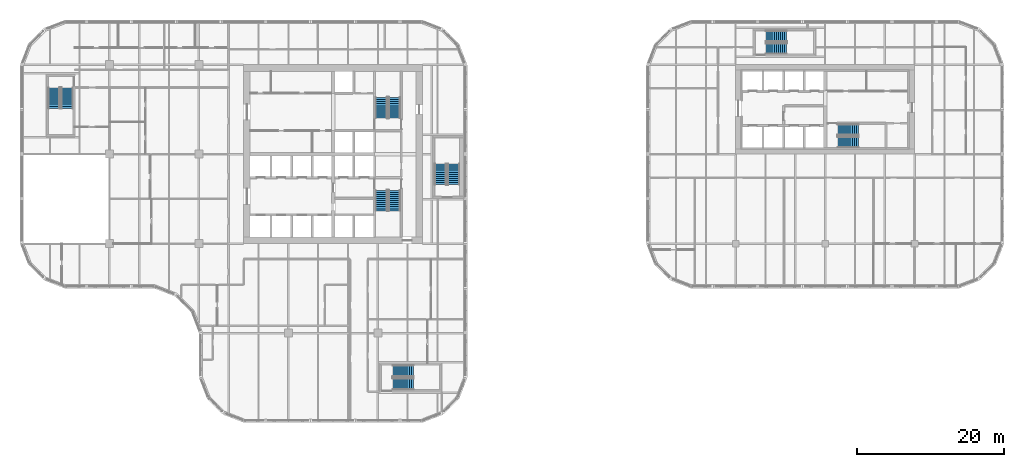
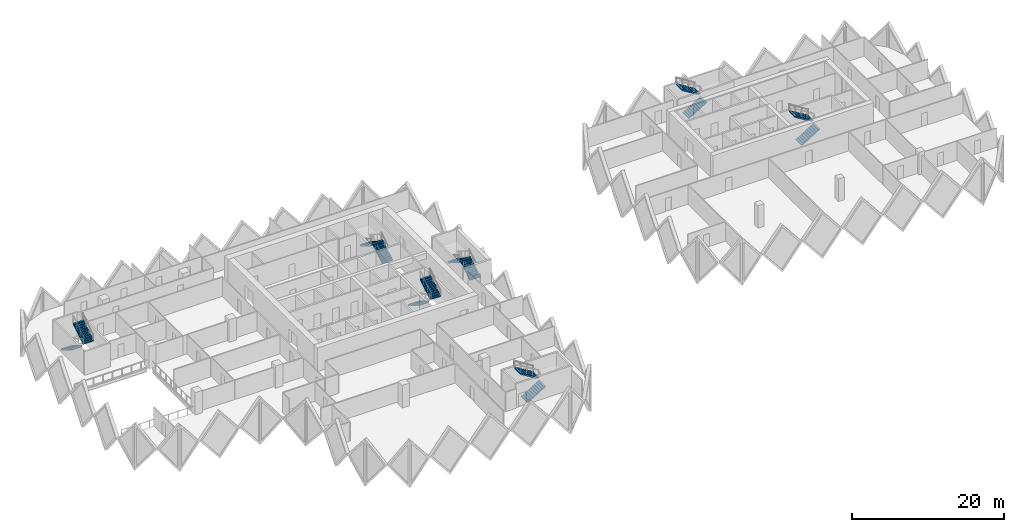
# One storey, part 16 of 18: 14 stair flights, 7 elements without a shape of their own.
"""IFC4 building model written with IfcOpenShell, lengths in metres."""

import ifcopenshell
import ifcopenshell.guid

model = None  # the IFC model being written
_history = None  # IfcOwnerHistory: only IFC2X3 demands one
_inside = {}  # id of a spatial element -> (the spatial element, [elements in it])
_under = {}  # id of a project, library or spatial element -> (it, [spatial elements below it])
_declared = {}  # id of a project -> (the project, [libraries it declares])
_typed = {}  # id of a type object -> (the type object, [elements of that type])
_made_of = {}  # id of a material, layer set ... -> (it, [elements and type objects made of it])


def new_model(schema):
    """Start an empty IFC model of exactly this schema.

    Asked for "IFC4X3", IfcOpenShell would pick the latest addendum, in which some entities
    have other attributes; the version numbers below select the first issue.
    IFC2X3 requires an IfcOwnerHistory on every rooted entity: one is made here for all.
    """
    global model, _history
    if schema == "IFC4X3":
        model = ifcopenshell.file(schema_version=(4, 3, 0, 0))
    else:
        model = ifcopenshell.file(schema=schema)
    _inside.clear()
    _under.clear()
    _declared.clear()
    _typed.clear()
    _made_of.clear()
    _history = None
    if model.schema == "IFC2X3":
        org = make("IfcOrganization", Name="unknown")
        user = make(
            "IfcPersonAndOrganization",
            ThePerson=make("IfcPerson", FamilyName="unknown"),
            TheOrganization=org,
        )
        app = make(
            "IfcApplication",
            ApplicationDeveloper=org,
            Version="unknown",
            ApplicationFullName="unknown",
            ApplicationIdentifier="unknown",
        )
        _history = make(
            "IfcOwnerHistory",
            OwningUser=user,
            OwningApplication=app,
            ChangeAction="ADDED",
            CreationDate=0,
        )
    return model


def make(cls, **values):
    """One entity of the class cls with the attributes given. An attribute that is None is left unset."""
    return model.create_entity(
        cls, **{name: value for name, value in values.items() if value is not None}
    )


def rooted(cls, **values):
    """An entity with a GlobalId (a new one), such as an element, a storey or a relation."""
    return make(cls, GlobalId=ifcopenshell.guid.new(), OwnerHistory=_history, **values)


def si_unit(unit_type, name, prefix=None):
    """IfcSIUnit, for example si_unit("LENGTHUNIT", "METRE", prefix="MILLI")."""
    return make("IfcSIUnit", UnitType=unit_type, Prefix=prefix, Name=name)


def assignment(units):
    """IfcUnitAssignment: the units of a project."""
    return None if units is None else make("IfcUnitAssignment", Units=units)


def point(xyz):
    """IfcCartesianPoint."""
    return None if xyz is None else make("IfcCartesianPoint", Coordinates=xyz)


def direction(xyz):
    """IfcDirection."""
    return None if xyz is None else make("IfcDirection", DirectionRatios=xyz)


def frame(location, z_axis=None, x_axis=None):
    """IfcAxis2Placement3D, a coordinate frame: its origin and axes. An axis left out is left unset."""
    return make(
        "IfcAxis2Placement3D",
        Location=point(location),
        Axis=direction(z_axis),
        RefDirection=direction(x_axis),
    )


def origin():
    """The frame at (0, 0, 0) with its axes left unset."""
    return frame((0.0, 0.0, 0.0))


def place(relative_to, where):
    """IfcLocalPlacement: puts the frame where relative to a parent placement (None: the world)."""
    return make(
        "IfcLocalPlacement", PlacementRelTo=relative_to, RelativePlacement=where
    )


def context(
    kind, dimensions, precision=None, world=None, true_north=None, identifier=None
):
    """IfcGeometricRepresentationContext, for example the 3D "Model" context."""
    return make(
        "IfcGeometricRepresentationContext",
        ContextIdentifier=identifier,
        ContextType=kind,
        CoordinateSpaceDimension=dimensions,
        Precision=precision,
        WorldCoordinateSystem=world,
        TrueNorth=true_north,
    )


def subcontext(parent, identifier, kind, view, scale=None):
    """IfcGeometricRepresentationSubContext, for example "Body" below "Model"."""
    return make(
        "IfcGeometricRepresentationSubContext",
        ContextIdentifier=identifier,
        ContextType=kind,
        ParentContext=parent,
        TargetScale=scale,
        TargetView=view,
    )


def project(units=None, contexts=None):
    """IfcProject with its units and contexts."""
    return rooted(
        "IfcProject",
        Name="project",
        RepresentationContexts=contexts,
        UnitsInContext=assignment(units),
    )


def spatial(cls, under=None, at=None, **own):
    """A site, building, storey or space (cls), placed at a placement, below another one or the project."""
    s = rooted(cls, ObjectPlacement=at, **own)
    if under is not None:
        _under.setdefault(under.id(), (under, []))[1].append(s)
    return s


def polyline(points):
    """IfcPolyline through the points."""
    return make("IfcPolyline", Points=[point(p) for p in points])


def outline(outer, holes=None, kind="AREA"):
    """IfcArbitraryClosedProfileDef: a profile drawn as a closed curve; with holes, ...WithVoids."""
    if holes is None:
        return make("IfcArbitraryClosedProfileDef", ProfileType=kind, OuterCurve=outer)
    return make(
        "IfcArbitraryProfileDefWithVoids",
        ProfileType=kind,
        OuterCurve=outer,
        InnerCurves=holes,
    )


def extrude(swept, where, along, depth):
    """IfcExtrudedAreaSolid: the profile swept, set in the frame where, extruded along a direction by depth."""
    return make(
        "IfcExtrudedAreaSolid",
        SweptArea=swept,
        Position=where,
        ExtrudedDirection=direction(along),
        Depth=depth,
    )


def shape(context_of_items, identifier, shape_type, items):
    """IfcShapeRepresentation: the items that make up one representation, for example the "Body"."""
    return make(
        "IfcShapeRepresentation",
        ContextOfItems=context_of_items,
        RepresentationIdentifier=identifier,
        RepresentationType=shape_type,
        Items=items,
    )


def material(Name=None, Category=None):
    """IfcMaterial."""
    return make("IfcMaterial", Name=Name, Category=Category)


def made_of(thing, what):
    """Note that an element or type object is made of a material, layer set ...; save() writes the relation."""
    if what is not None:
        _made_of.setdefault(what.id(), (what, []))[1].append(thing)
    return thing


def type_object(cls, material=None, **own):
    """A type object (cls), such as IfcWallType, which elements share."""
    return made_of(rooted(cls, **own), material)


def element(
    cls,
    number,
    at=None,
    inside=None,
    cuts=None,
    type_object=None,
    material=None,
    context=None,
    identifier="Body",
    shape_type=None,
    held_by="IfcProductDefinitionShape",
    body=None,
    shapes=None,
    **own,
):
    """One element of the class cls, such as IfcWall. Its Tag is "e" and its number.

    at: its placement. inside: the storey or other place that contains it. cuts: it is an
    opening in that element (IfcRelVoidsElement). A single representation is given by context,
    identifier, shape_type and body (its items); several are given by shapes. held_by: the class
    of the entity that holds the representations. save() writes the other relations.
    """
    e = rooted(cls, Tag="e%d" % number, ObjectPlacement=at, **own)
    if body is not None:
        shapes = [shape(context, identifier, shape_type, body)]
    if shapes is not None:
        e.Representation = make(held_by, Representations=shapes)
    if inside is not None:
        _inside.setdefault(inside.id(), (inside, []))[1].append(e)
    if cuts is not None:
        rooted(
            "IfcRelVoidsElement", RelatingBuildingElement=cuts, RelatedOpeningElement=e
        )
    if type_object is not None:
        _typed.setdefault(type_object.id(), (type_object, []))[1].append(e)
    return made_of(e, material)


def aggregate(whole, parts):
    """IfcRelAggregates: a whole, such as a stair, and the parts it consists of."""
    return rooted("IfcRelAggregates", RelatingObject=whole, RelatedObjects=parts)


def save(model, path):
    """Write the relations noted so far, then the file.

    IfcRelAggregates (storeys below a building ...), IfcRelContainedInSpatialStructure (elements
    in a storey), IfcRelDefinesByType, IfcRelAssociatesMaterial and IfcRelDeclares: one each for
    every whole, place, type object, material and project.
    """
    for whole, parts in _under.values():
        aggregate(whole, parts)
    for where, things in _inside.values():
        rooted(
            "IfcRelContainedInSpatialStructure",
            RelatedElements=things,
            RelatingStructure=where,
        )
    for kind, things in _typed.values():
        rooted("IfcRelDefinesByType", RelatedObjects=things, RelatingType=kind)
    for what, things in _made_of.values():
        rooted("IfcRelAssociatesMaterial", RelatedObjects=things, RelatingMaterial=what)
    for by, libraries in _declared.values():
        rooted("IfcRelDeclares", RelatingContext=by, RelatedDefinitions=libraries)
    model.write(path)


model = new_model("IFC4")

# Units and contexts
model_context = context("Model", 3, precision=1e-05, world=origin(), true_north=direction((0.0, 1.0)))
body_context = subcontext(model_context, "Body", "Model", "MODEL_VIEW")
ifc_project = project(units=[si_unit("LENGTHUNIT", "METRE"), si_unit("AREAUNIT", "SQUARE_METRE"), si_unit("VOLUMEUNIT", "CUBIC_METRE"), si_unit("PLANEANGLEUNIT", "RADIAN"), si_unit("MASSUNIT", "GRAM", prefix="KILO")], contexts=[model_context])

# Site, building, storey
site_placement = place(None, origin())
site = spatial("IfcSite", under=ifc_project, at=site_placement, CompositionType="ELEMENT")
building_placement = place(site_placement, origin())
building = spatial("IfcBuilding", under=site, at=building_placement, Name="Tessera Gate Towers", CompositionType="ELEMENT")
storey_placement = place(building_placement, frame((0.0, 0.0, 41.0)))
storey = spatial("IfcBuildingStorey", under=building, at=storey_placement, Name="L09", CompositionType="ELEMENT", Elevation=41.0)

# Stair, stair flights
ifc_material_1 = material(Name="Concrete C40/50", Category="concrete")
stair_type_1 = type_object("IfcStairType", Name="EXIT STAIR ST1 1600", PredefinedType="HALF_TURN_STAIR", material=ifc_material_1)
stair_1_placement = place(storey_placement, origin())
stair_1 = element("IfcStair", 1, at=stair_1_placement, inside=storey, type_object=stair_type_1, Name="L09 Protected Exit Stair ST1", PredefinedType="HALF_TURN_STAIR")
ifc_material_2 = material(Name="Concrete C40/50", Category="concrete")
stair_flight_type_1 = type_object("IfcStairFlightType", Name="EXIT STAIR FLIGHT ST1 1600", PredefinedType="STRAIGHT", material=ifc_material_2)
stair_flight_1_placement = place(storey_placement, frame((49.27490234375, 31.675048828125, 0.0), z_axis=(0.0, 0.0, 1.0), x_axis=(0.0, -1.0, 0.0)))
stair_flight_1 = element("IfcStairFlight", 2, at=stair_flight_1_placement, type_object=stair_flight_type_1, Name="ST1 flight 1", NumberOfRisers=11, NumberOfTreads=10, PredefinedType="STRAIGHT", RiserHeight=0.172727273, TreadLength=0.28, context=body_context, shape_type="SweptSolid", body=[
    extrude(outline(polyline([(0.0, 0.0), (0.0, 0.172607421875), (0.280029296875, 0.172607421875), (0.280029296875, 0.345458984375), (0.56005859375, 0.345458984375), (0.56005859375, 0.51806640625), (0.840087890625, 0.51806640625), (0.840087890625, 0.69091796875), (1.1201171875, 0.69091796875), (1.1201171875, 0.863525390625), (1.39990234375, 0.863525390625), (1.39990234375, 1.036376953125), (1.679931640625, 1.036376953125), (1.679931640625, 1.208984375), (1.9599609375, 1.208984375), (1.9599609375, 1.3818359375), (2.239990234375, 1.3818359375), (2.239990234375, 1.554443359375), (2.52001953125, 1.554443359375), (2.52001953125, 1.727294921875), (2.800048828125, 1.727294921875), (2.800048828125, 1.89990234375), (2.800048828125, 1.551025390625), (0.285400390625, 0.0), (0.0, 0.0)])), frame((0.0, 0.800048828125, 0.0), z_axis=(0.0, -1.0, 0.0), x_axis=(1.0, 0.0, 0.0)), (0.0, 0.0, 1.0), 1.60009765625),
])
stair_flight_2_placement = place(storey_placement, frame((51.074951171875, 28.875, 1.89990234375), z_axis=(0.0, 0.0, 1.0), x_axis=(0.0, 1.0, 0.0)))
stair_flight_2 = element("IfcStairFlight", 3, at=stair_flight_2_placement, type_object=stair_flight_type_1, Name="ST1 flight 2", NumberOfRisers=11, NumberOfTreads=10, PredefinedType="STRAIGHT", RiserHeight=0.172727273, TreadLength=0.28, context=body_context, shape_type="SweptSolid", body=[
    extrude(outline(polyline([(0.0, 0.0), (0.0, 0.172607421875), (0.280029296875, 0.172607421875), (0.280029296875, 0.345458984375), (0.56005859375, 0.345458984375), (0.56005859375, 0.51806640625), (0.840087890625, 0.51806640625), (0.840087890625, 0.69091796875), (1.1201171875, 0.69091796875), (1.1201171875, 0.863525390625), (1.39990234375, 0.863525390625), (1.39990234375, 1.036376953125), (1.679931640625, 1.036376953125), (1.679931640625, 1.208984375), (1.9599609375, 1.208984375), (1.9599609375, 1.3818359375), (2.239990234375, 1.3818359375), (2.239990234375, 1.554443359375), (2.52001953125, 1.554443359375), (2.52001953125, 1.727294921875), (2.800048828125, 1.727294921875), (2.800048828125, 1.89990234375), (2.800048828125, 1.551025390625), (0.285400390625, 0.0), (0.0, 0.0)])), frame((0.0, 0.800048828125, 0.0), z_axis=(0.0, -1.0, 0.0), x_axis=(1.0, 0.0, 0.0)), (0.0, 0.0, 1.0), 1.60009765625),
])
aggregate(stair_1, [stair_flight_1, stair_flight_2])

ifc_material_3 = material(Name="Concrete C40/50", Category="concrete")
stair_type_2 = type_object("IfcStairType", Name="EXIT STAIR ST2 1600", PredefinedType="HALF_TURN_STAIR", material=ifc_material_3)
stair_2_placement = place(storey_placement, origin())
stair_2 = element("IfcStair", 4, at=stair_2_placement, inside=storey, type_object=stair_type_2, Name="L09 Protected Exit Stair ST2", PredefinedType="HALF_TURN_STAIR")
ifc_material_4 = material(Name="Concrete C40/50", Category="concrete")
stair_flight_type_2 = type_object("IfcStairFlightType", Name="EXIT STAIR FLIGHT ST2 1600", PredefinedType="STRAIGHT", material=ifc_material_4)
stair_flight_3_placement = place(storey_placement, frame((51.074951171875, 41.52490234375, 0.0), z_axis=(0.0, 0.0, 1.0), x_axis=(0.0, 1.0, 0.0)))
stair_flight_3 = element("IfcStairFlight", 5, at=stair_flight_3_placement, type_object=stair_flight_type_2, Name="ST2 flight 1", NumberOfRisers=11, NumberOfTreads=10, PredefinedType="STRAIGHT", RiserHeight=0.172727273, TreadLength=0.28, context=body_context, shape_type="SweptSolid", body=[
    extrude(outline(polyline([(0.0, 0.0), (0.0, 0.172607421875), (0.280029296875, 0.172607421875), (0.280029296875, 0.345458984375), (0.56005859375, 0.345458984375), (0.56005859375, 0.51806640625), (0.840087890625, 0.51806640625), (0.840087890625, 0.69091796875), (1.1201171875, 0.69091796875), (1.1201171875, 0.863525390625), (1.39990234375, 0.863525390625), (1.39990234375, 1.036376953125), (1.679931640625, 1.036376953125), (1.679931640625, 1.208984375), (1.9599609375, 1.208984375), (1.9599609375, 1.3818359375), (2.239990234375, 1.3818359375), (2.239990234375, 1.554443359375), (2.52001953125, 1.554443359375), (2.52001953125, 1.727294921875), (2.800048828125, 1.727294921875), (2.800048828125, 1.89990234375), (2.800048828125, 1.551025390625), (0.285400390625, 0.0), (0.0, 0.0)])), frame((0.0, 0.800048828125, 0.0), z_axis=(0.0, -1.0, 0.0), x_axis=(1.0, 0.0, 0.0)), (0.0, 0.0, 1.0), 1.60009765625),
])
stair_flight_4_placement = place(storey_placement, frame((49.27490234375, 44.324951171875, 1.89990234375), z_axis=(0.0, 0.0, 1.0), x_axis=(0.0, -1.0, 0.0)))
stair_flight_4 = element("IfcStairFlight", 6, at=stair_flight_4_placement, type_object=stair_flight_type_2, Name="ST2 flight 2", NumberOfRisers=11, NumberOfTreads=10, PredefinedType="STRAIGHT", RiserHeight=0.172727273, TreadLength=0.28, context=body_context, shape_type="SweptSolid", body=[
    extrude(outline(polyline([(0.0, 0.0), (0.0, 0.172607421875), (0.280029296875, 0.172607421875), (0.280029296875, 0.345458984375), (0.56005859375, 0.345458984375), (0.56005859375, 0.51806640625), (0.840087890625, 0.51806640625), (0.840087890625, 0.69091796875), (1.1201171875, 0.69091796875), (1.1201171875, 0.863525390625), (1.39990234375, 0.863525390625), (1.39990234375, 1.036376953125), (1.679931640625, 1.036376953125), (1.679931640625, 1.208984375), (1.9599609375, 1.208984375), (1.9599609375, 1.3818359375), (2.239990234375, 1.3818359375), (2.239990234375, 1.554443359375), (2.52001953125, 1.554443359375), (2.52001953125, 1.727294921875), (2.800048828125, 1.727294921875), (2.800048828125, 1.89990234375), (2.800048828125, 1.551025390625), (0.285400390625, 0.0), (0.0, 0.0)])), frame((0.0, 0.800048828125, 0.0), z_axis=(0.0, -1.0, 0.0), x_axis=(1.0, 0.0, 0.0)), (0.0, 0.0, 1.0), 1.60009765625),
])
aggregate(stair_2, [stair_flight_3, stair_flight_4])

ifc_material_5 = material(Name="Concrete C40/50", Category="concrete")
stair_type_3 = type_object("IfcStairType", Name="EXIT STAIR ST3 1600", PredefinedType="HALF_TURN_STAIR", material=ifc_material_5)
stair_3_placement = place(storey_placement, origin())
stair_3 = element("IfcStair", 7, at=stair_3_placement, inside=storey, type_object=stair_type_3, Name="L09 West Exit Stair ST3", PredefinedType="HALF_TURN_STAIR")
ifc_material_6 = material(Name="Concrete C40/50", Category="concrete")
stair_flight_type_3 = type_object("IfcStairFlightType", Name="EXIT STAIR FLIGHT ST3 1600", PredefinedType="STRAIGHT", material=ifc_material_6)
stair_flight_5_placement = place(storey_placement, frame((4.64990234375, 45.64990234375, 0.0), z_axis=(0.0, 0.0, 1.0), x_axis=(0.0, -1.0, 0.0)))
stair_flight_5 = element("IfcStairFlight", 8, at=stair_flight_5_placement, type_object=stair_flight_type_3, Name="ST3 flight 1", NumberOfRisers=11, NumberOfTreads=10, PredefinedType="STRAIGHT", RiserHeight=0.172727273, TreadLength=0.28, context=body_context, shape_type="SweptSolid", body=[
    extrude(outline(polyline([(0.0, 0.0), (0.0, 0.172607421875), (0.280029296875, 0.172607421875), (0.280029296875, 0.345458984375), (0.56005859375, 0.345458984375), (0.56005859375, 0.51806640625), (0.840087890625, 0.51806640625), (0.840087890625, 0.69091796875), (1.1201171875, 0.69091796875), (1.1201171875, 0.863525390625), (1.39990234375, 0.863525390625), (1.39990234375, 1.036376953125), (1.679931640625, 1.036376953125), (1.679931640625, 1.208984375), (1.9599609375, 1.208984375), (1.9599609375, 1.3818359375), (2.239990234375, 1.3818359375), (2.239990234375, 1.554443359375), (2.52001953125, 1.554443359375), (2.52001953125, 1.727294921875), (2.800048828125, 1.727294921875), (2.800048828125, 1.89990234375), (2.800048828125, 1.551025390625), (0.285400390625, 0.0), (0.0, 0.0)])), frame((0.0, 0.800048828125, 0.0), z_axis=(0.0, -1.0, 0.0), x_axis=(1.0, 0.0, 0.0)), (0.0, 0.0, 1.0), 1.60009765625),
])
stair_flight_6_placement = place(storey_placement, frame((6.449951171875, 42.85009765625, 1.89990234375), z_axis=(0.0, 0.0, 1.0), x_axis=(0.0, 1.0, 0.0)))
stair_flight_6 = element("IfcStairFlight", 9, at=stair_flight_6_placement, type_object=stair_flight_type_3, Name="ST3 flight 2", NumberOfRisers=11, NumberOfTreads=10, PredefinedType="STRAIGHT", RiserHeight=0.172727273, TreadLength=0.28, context=body_context, shape_type="SweptSolid", body=[
    extrude(outline(polyline([(0.0, 0.0), (0.0, 0.172607421875), (0.280029296875, 0.172607421875), (0.280029296875, 0.345458984375), (0.56005859375, 0.345458984375), (0.56005859375, 0.51806640625), (0.840087890625, 0.51806640625), (0.840087890625, 0.69091796875), (1.1201171875, 0.69091796875), (1.1201171875, 0.863525390625), (1.39990234375, 0.863525390625), (1.39990234375, 1.036376953125), (1.679931640625, 1.036376953125), (1.679931640625, 1.208984375), (1.9599609375, 1.208984375), (1.9599609375, 1.3818359375), (2.239990234375, 1.3818359375), (2.239990234375, 1.554443359375), (2.52001953125, 1.554443359375), (2.52001953125, 1.727294921875), (2.800048828125, 1.727294921875), (2.800048828125, 1.89990234375), (2.800048828125, 1.551025390625), (0.285400390625, 0.0), (0.0, 0.0)])), frame((0.0, 0.800048828125, 0.0), z_axis=(0.0, -1.0, 0.0), x_axis=(1.0, 0.0, 0.0)), (0.0, 0.0, 1.0), 1.60009765625),
])
aggregate(stair_3, [stair_flight_5, stair_flight_6])

ifc_material_7 = material(Name="Concrete C40/50", Category="concrete")
stair_type_4 = type_object("IfcStairType", Name="EXIT STAIR ST4 1600", PredefinedType="HALF_TURN_STAIR", material=ifc_material_7)
stair_4_placement = place(storey_placement, origin())
stair_4 = element("IfcStair", 10, at=stair_4_placement, inside=storey, type_object=stair_type_4, Name="L09 South Exit Stair ST4", PredefinedType="HALF_TURN_STAIR")
ifc_material_8 = material(Name="Concrete C40/50", Category="concrete")
stair_flight_type_4 = type_object("IfcStairFlightType", Name="EXIT STAIR FLIGHT ST4 1600", PredefinedType="STRAIGHT", material=ifc_material_8)
stair_flight_7_placement = place(storey_placement, frame((50.85009765625, 5.25, 0.0), z_axis=(0.0, 0.0, 1.0), x_axis=(1.0, 0.0, 0.0)))
stair_flight_7 = element("IfcStairFlight", 11, at=stair_flight_7_placement, type_object=stair_flight_type_4, Name="ST4 flight 1", NumberOfRisers=11, NumberOfTreads=10, PredefinedType="STRAIGHT", RiserHeight=0.172727273, TreadLength=0.28, context=body_context, shape_type="SweptSolid", body=[
    extrude(outline(polyline([(0.0, 0.0), (0.0, 0.172607421875), (0.280029296875, 0.172607421875), (0.280029296875, 0.345458984375), (0.56005859375, 0.345458984375), (0.56005859375, 0.51806640625), (0.840087890625, 0.51806640625), (0.840087890625, 0.69091796875), (1.1201171875, 0.69091796875), (1.1201171875, 0.863525390625), (1.39990234375, 0.863525390625), (1.39990234375, 1.036376953125), (1.679931640625, 1.036376953125), (1.679931640625, 1.208984375), (1.9599609375, 1.208984375), (1.9599609375, 1.3818359375), (2.239990234375, 1.3818359375), (2.239990234375, 1.554443359375), (2.52001953125, 1.554443359375), (2.52001953125, 1.727294921875), (2.800048828125, 1.727294921875), (2.800048828125, 1.89990234375), (2.800048828125, 1.551025390625), (0.285400390625, 0.0), (0.0, 0.0)])), frame((0.0, 0.800048828125, 0.0), z_axis=(0.0, -1.0, 0.0), x_axis=(1.0, 0.0, 0.0)), (0.0, 0.0, 1.0), 1.60009765625),
])
stair_flight_8_placement = place(storey_placement, frame((53.64990234375, 7.050048828125, 1.89990234375), z_axis=(0.0, 0.0, 1.0), x_axis=(-1.0, 0.0, 0.0)))
stair_flight_8 = element("IfcStairFlight", 12, at=stair_flight_8_placement, type_object=stair_flight_type_4, Name="ST4 flight 2", NumberOfRisers=11, NumberOfTreads=10, PredefinedType="STRAIGHT", RiserHeight=0.172727273, TreadLength=0.28, context=body_context, shape_type="SweptSolid", body=[
    extrude(outline(polyline([(0.0, 0.0), (0.0, 0.172607421875), (0.280029296875, 0.172607421875), (0.280029296875, 0.345458984375), (0.56005859375, 0.345458984375), (0.56005859375, 0.51806640625), (0.840087890625, 0.51806640625), (0.840087890625, 0.69091796875), (1.1201171875, 0.69091796875), (1.1201171875, 0.863525390625), (1.39990234375, 0.863525390625), (1.39990234375, 1.036376953125), (1.679931640625, 1.036376953125), (1.679931640625, 1.208984375), (1.9599609375, 1.208984375), (1.9599609375, 1.3818359375), (2.239990234375, 1.3818359375), (2.239990234375, 1.554443359375), (2.52001953125, 1.554443359375), (2.52001953125, 1.727294921875), (2.800048828125, 1.727294921875), (2.800048828125, 1.89990234375), (2.800048828125, 1.551025390625), (0.285400390625, 0.0), (0.0, 0.0)])), frame((0.0, 0.800048828125, 0.0), z_axis=(0.0, -1.0, 0.0), x_axis=(1.0, 0.0, 0.0)), (0.0, 0.0, 1.0), 1.60009765625),
])
aggregate(stair_4, [stair_flight_7, stair_flight_8])

ifc_material_9 = material(Name="Concrete C40/50", Category="concrete")
stair_type_5 = type_object("IfcStairType", Name="EXIT STAIR ST5 1600", PredefinedType="HALF_TURN_STAIR", material=ifc_material_9)
stair_5_placement = place(storey_placement, origin())
stair_5 = element("IfcStair", 13, at=stair_5_placement, inside=storey, type_object=stair_type_5, Name="L09 East Exit Stair ST5", PredefinedType="HALF_TURN_STAIR")
ifc_material_10 = material(Name="Concrete C40/50", Category="concrete")
stair_flight_type_5 = type_object("IfcStairFlightType", Name="EXIT STAIR FLIGHT ST5 1600", PredefinedType="STRAIGHT", material=ifc_material_10)
stair_flight_9_placement = place(storey_placement, frame((59.14990234375, 32.449951171875, 0.0), z_axis=(0.0, 0.0, 1.0), x_axis=(0.0, 1.0, 0.0)))
stair_flight_9 = element("IfcStairFlight", 14, at=stair_flight_9_placement, type_object=stair_flight_type_5, Name="ST5 flight 1", NumberOfRisers=11, NumberOfTreads=10, PredefinedType="STRAIGHT", RiserHeight=0.172727273, TreadLength=0.28, context=body_context, shape_type="SweptSolid", body=[
    extrude(outline(polyline([(0.0, 0.0), (0.0, 0.172607421875), (0.280029296875, 0.172607421875), (0.280029296875, 0.345458984375), (0.56005859375, 0.345458984375), (0.56005859375, 0.51806640625), (0.840087890625, 0.51806640625), (0.840087890625, 0.69091796875), (1.1201171875, 0.69091796875), (1.1201171875, 0.863525390625), (1.39990234375, 0.863525390625), (1.39990234375, 1.036376953125), (1.679931640625, 1.036376953125), (1.679931640625, 1.208984375), (1.9599609375, 1.208984375), (1.9599609375, 1.3818359375), (2.239990234375, 1.3818359375), (2.239990234375, 1.554443359375), (2.52001953125, 1.554443359375), (2.52001953125, 1.727294921875), (2.800048828125, 1.727294921875), (2.800048828125, 1.89990234375), (2.800048828125, 1.551025390625), (0.285400390625, 0.0), (0.0, 0.0)])), frame((0.0, 0.800048828125, 0.0), z_axis=(0.0, -1.0, 0.0), x_axis=(1.0, 0.0, 0.0)), (0.0, 0.0, 1.0), 1.60009765625),
])
stair_flight_10_placement = place(storey_placement, frame((57.35009765625, 35.25, 1.89990234375), z_axis=(0.0, 0.0, 1.0), x_axis=(0.0, -1.0, 0.0)))
stair_flight_10 = element("IfcStairFlight", 15, at=stair_flight_10_placement, type_object=stair_flight_type_5, Name="ST5 flight 2", NumberOfRisers=11, NumberOfTreads=10, PredefinedType="STRAIGHT", RiserHeight=0.172727273, TreadLength=0.28, context=body_context, shape_type="SweptSolid", body=[
    extrude(outline(polyline([(0.0, 0.0), (0.0, 0.172607421875), (0.280029296875, 0.172607421875), (0.280029296875, 0.345458984375), (0.56005859375, 0.345458984375), (0.56005859375, 0.51806640625), (0.840087890625, 0.51806640625), (0.840087890625, 0.69091796875), (1.1201171875, 0.69091796875), (1.1201171875, 0.863525390625), (1.39990234375, 0.863525390625), (1.39990234375, 1.036376953125), (1.679931640625, 1.036376953125), (1.679931640625, 1.208984375), (1.9599609375, 1.208984375), (1.9599609375, 1.3818359375), (2.239990234375, 1.3818359375), (2.239990234375, 1.554443359375), (2.52001953125, 1.554443359375), (2.52001953125, 1.727294921875), (2.800048828125, 1.727294921875), (2.800048828125, 1.89990234375), (2.800048828125, 1.551025390625), (0.285400390625, 0.0), (0.0, 0.0)])), frame((0.0, 0.800048828125, 0.0), z_axis=(0.0, -1.0, 0.0), x_axis=(1.0, 0.0, 0.0)), (0.0, 0.0, 1.0), 1.60009765625),
])
aggregate(stair_5, [stair_flight_9, stair_flight_10])

ifc_material_11 = material(Name="Concrete C40/50", Category="concrete")
stair_type_6 = type_object("IfcStairType", Name="EXIT STAIR ST6 1500", PredefinedType="HALF_TURN_STAIR", material=ifc_material_11)
stair_6_placement = place(storey_placement, origin())
stair_6 = element("IfcStair", 16, at=stair_6_placement, inside=storey, type_object=stair_type_6, Name="L09 Protected Exit Stair ST6", PredefinedType="HALF_TURN_STAIR")
ifc_material_12 = material(Name="Concrete C40/50", Category="concrete")
stair_flight_type_6 = type_object("IfcStairFlightType", Name="EXIT STAIR FLIGHT ST6 1500", PredefinedType="STRAIGHT", material=ifc_material_12)
stair_flight_11_placement = place(storey_placement, frame((111.550048828125, 38.25, 0.0), z_axis=(0.0, 0.0, 1.0), x_axis=(1.0, 0.0, 0.0)))
stair_flight_11 = element("IfcStairFlight", 17, at=stair_flight_11_placement, type_object=stair_flight_type_6, Name="ST6 flight 1", NumberOfRisers=11, NumberOfTreads=10, PredefinedType="STRAIGHT", RiserHeight=0.172727273, TreadLength=0.28, context=body_context, shape_type="SweptSolid", body=[
    extrude(outline(polyline([(0.0, 0.0), (0.0, 0.172607421875), (0.280029296875, 0.172607421875), (0.280029296875, 0.345458984375), (0.56005859375, 0.345458984375), (0.56005859375, 0.51806640625), (0.840087890625, 0.51806640625), (0.840087890625, 0.69091796875), (1.1201171875, 0.69091796875), (1.1201171875, 0.863525390625), (1.39990234375, 0.863525390625), (1.39990234375, 1.036376953125), (1.679931640625, 1.036376953125), (1.679931640625, 1.208984375), (1.9599609375, 1.208984375), (1.9599609375, 1.3818359375), (2.239990234375, 1.3818359375), (2.239990234375, 1.554443359375), (2.52001953125, 1.554443359375), (2.52001953125, 1.727294921875), (2.800048828125, 1.727294921875), (2.800048828125, 1.89990234375), (2.800048828125, 1.551025390625), (0.285400390625, 0.0), (0.0, 0.0)])), frame((0.0, 0.75, 0.0), z_axis=(0.0, -1.0, 0.0), x_axis=(1.0, 0.0, 0.0)), (0.0, 0.0, 1.0), 1.5),
])
stair_flight_12_placement = place(storey_placement, frame((114.35009765625, 39.949951171875, 1.89990234375), z_axis=(0.0, 0.0, 1.0), x_axis=(-1.0, 0.0, 0.0)))
stair_flight_12 = element("IfcStairFlight", 18, at=stair_flight_12_placement, type_object=stair_flight_type_6, Name="ST6 flight 2", NumberOfRisers=11, NumberOfTreads=10, PredefinedType="STRAIGHT", RiserHeight=0.172727273, TreadLength=0.28, context=body_context, shape_type="SweptSolid", body=[
    extrude(outline(polyline([(0.0, 0.0), (0.0, 0.172607421875), (0.280029296875, 0.172607421875), (0.280029296875, 0.345458984375), (0.56005859375, 0.345458984375), (0.56005859375, 0.51806640625), (0.840087890625, 0.51806640625), (0.840087890625, 0.69091796875), (1.1201171875, 0.69091796875), (1.1201171875, 0.863525390625), (1.39990234375, 0.863525390625), (1.39990234375, 1.036376953125), (1.679931640625, 1.036376953125), (1.679931640625, 1.208984375), (1.9599609375, 1.208984375), (1.9599609375, 1.3818359375), (2.239990234375, 1.3818359375), (2.239990234375, 1.554443359375), (2.52001953125, 1.554443359375), (2.52001953125, 1.727294921875), (2.800048828125, 1.727294921875), (2.800048828125, 1.89990234375), (2.800048828125, 1.551025390625), (0.285400390625, 0.0), (0.0, 0.0)])), frame((0.0, 0.75, 0.0), z_axis=(0.0, -1.0, 0.0), x_axis=(1.0, 0.0, 0.0)), (0.0, 0.0, 1.0), 1.5),
])
aggregate(stair_6, [stair_flight_11, stair_flight_12])

ifc_material_13 = material(Name="Concrete C40/50", Category="concrete")
stair_type_7 = type_object("IfcStairType", Name="EXIT STAIR ST7 1500", PredefinedType="HALF_TURN_STAIR", material=ifc_material_13)
stair_7_placement = place(storey_placement, origin())
stair_7 = element("IfcStair", 19, at=stair_7_placement, inside=storey, type_object=stair_type_7, Name="L09 North Exit Stair ST7", PredefinedType="HALF_TURN_STAIR")
ifc_material_14 = material(Name="Concrete C40/50", Category="concrete")
stair_flight_type_7 = type_object("IfcStairFlightType", Name="EXIT STAIR FLIGHT ST7 1500", PredefinedType="STRAIGHT", material=ifc_material_14)
stair_flight_13_placement = place(storey_placement, frame((101.75, 51.0, 0.0), z_axis=(0.0, 0.0, 1.0), x_axis=(1.0, 0.0, 0.0)))
stair_flight_13 = element("IfcStairFlight", 20, at=stair_flight_13_placement, type_object=stair_flight_type_7, Name="ST7 flight 1", NumberOfRisers=11, NumberOfTreads=10, PredefinedType="STRAIGHT", RiserHeight=0.172727273, TreadLength=0.28, context=body_context, shape_type="SweptSolid", body=[
    extrude(outline(polyline([(0.0, 0.0), (0.0, 0.172607421875), (0.280029296875, 0.172607421875), (0.280029296875, 0.345458984375), (0.56005859375, 0.345458984375), (0.56005859375, 0.51806640625), (0.840087890625, 0.51806640625), (0.840087890625, 0.69091796875), (1.1201171875, 0.69091796875), (1.1201171875, 0.863525390625), (1.39990234375, 0.863525390625), (1.39990234375, 1.036376953125), (1.679931640625, 1.036376953125), (1.679931640625, 1.208984375), (1.9599609375, 1.208984375), (1.9599609375, 1.3818359375), (2.239990234375, 1.3818359375), (2.239990234375, 1.554443359375), (2.52001953125, 1.554443359375), (2.52001953125, 1.727294921875), (2.800048828125, 1.727294921875), (2.800048828125, 1.89990234375), (2.800048828125, 1.551025390625), (0.285400390625, 0.0), (0.0, 0.0)])), frame((0.0, 0.75, 0.0), z_axis=(0.0, -1.0, 0.0), x_axis=(1.0, 0.0, 0.0)), (0.0, 0.0, 1.0), 1.5),
])
stair_flight_14_placement = place(storey_placement, frame((104.550048828125, 52.699951171875, 1.89990234375), z_axis=(0.0, 0.0, 1.0), x_axis=(-1.0, 0.0, 0.0)))
stair_flight_14 = element("IfcStairFlight", 21, at=stair_flight_14_placement, type_object=stair_flight_type_7, Name="ST7 flight 2", NumberOfRisers=11, NumberOfTreads=10, PredefinedType="STRAIGHT", RiserHeight=0.172727273, TreadLength=0.28, context=body_context, shape_type="SweptSolid", body=[
    extrude(outline(polyline([(0.0, 0.0), (0.0, 0.172607421875), (0.280029296875, 0.172607421875), (0.280029296875, 0.345458984375), (0.56005859375, 0.345458984375), (0.56005859375, 0.51806640625), (0.840087890625, 0.51806640625), (0.840087890625, 0.69091796875), (1.1201171875, 0.69091796875), (1.1201171875, 0.863525390625), (1.39990234375, 0.863525390625), (1.39990234375, 1.036376953125), (1.679931640625, 1.036376953125), (1.679931640625, 1.208984375), (1.9599609375, 1.208984375), (1.9599609375, 1.3818359375), (2.239990234375, 1.3818359375), (2.239990234375, 1.554443359375), (2.52001953125, 1.554443359375), (2.52001953125, 1.727294921875), (2.800048828125, 1.727294921875), (2.800048828125, 1.89990234375), (2.800048828125, 1.551025390625), (0.285400390625, 0.0), (0.0, 0.0)])), frame((0.0, 0.75, 0.0), z_axis=(0.0, -1.0, 0.0), x_axis=(1.0, 0.0, 0.0)), (0.0, 0.0, 1.0), 1.5),
])
aggregate(stair_7, [stair_flight_13, stair_flight_14])

save(model, "model.ifc")
